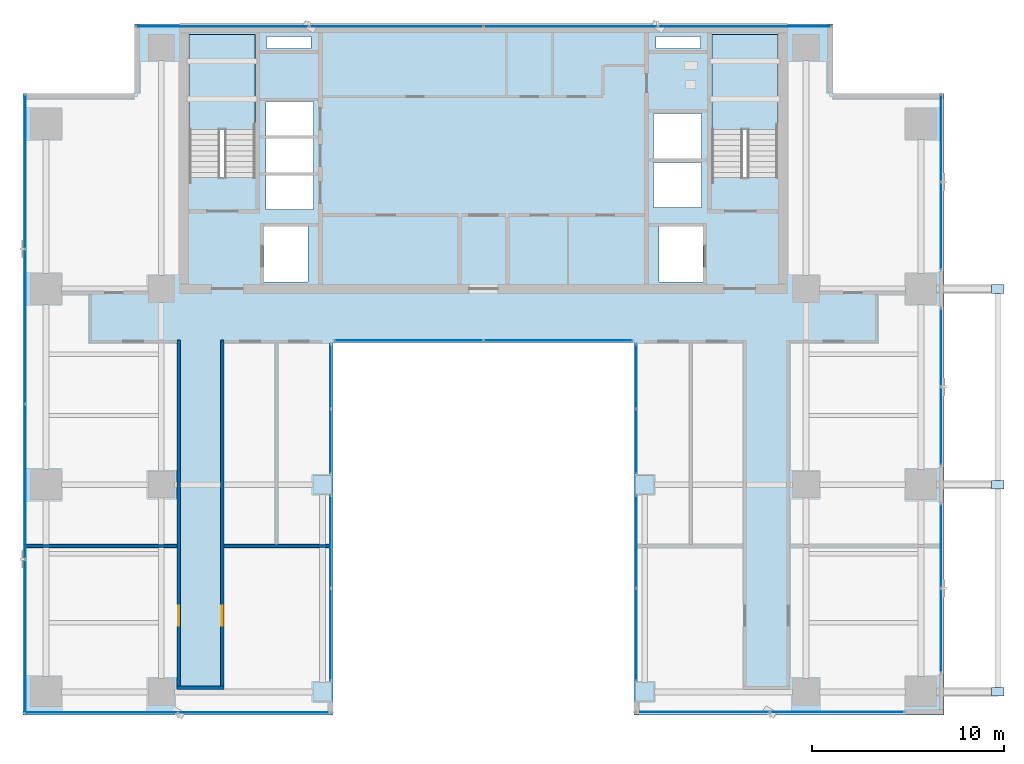
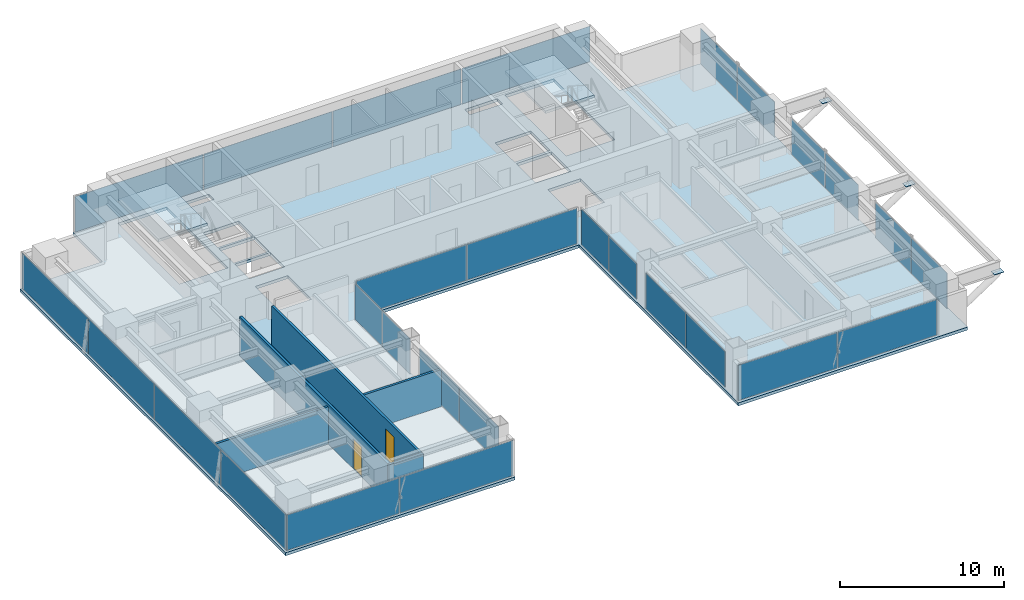
# One storey, part 24 of 31: 31 plates, 5 walls, 3 slabs, 2 doors, 2 openings, 14 elements without a shape of their own.
"""IFC4 building model written with IfcOpenShell, lengths in metres."""

from ifc_helpers import new_model, si_unit, direction, frame, frame_2d, origin, origin_2d, place, context, subcontext, project, spatial, polyline, rectangle, outline, extrude, source, transform, mapped, material, layer, layer_set, type_object, element, fill, aggregate, save


model = new_model("IFC4")

# Units and contexts
model_context = context("Model", 3, precision=1e-05, world=origin(), true_north=direction((0.0, 1.0)))
body_context = subcontext(model_context, "Body", "Model", "MODEL_VIEW")
ifc_project = project(units=[si_unit("LENGTHUNIT", "METRE"), si_unit("AREAUNIT", "SQUARE_METRE"), si_unit("VOLUMEUNIT", "CUBIC_METRE"), si_unit("PLANEANGLEUNIT", "RADIAN"), si_unit("MASSUNIT", "GRAM", prefix="KILO")], contexts=[model_context])

# Site, building, storey
site_placement = place(None, origin())
site = spatial("IfcSite", under=ifc_project, at=site_placement, CompositionType="ELEMENT")
building_placement = place(site_placement, origin())
building = spatial("IfcBuilding", under=site, at=building_placement, Name="Sumidabori Civic Tower", CompositionType="ELEMENT")
storey_placement = place(building_placement, frame((0.0, 0.0, 221.60009765625)))
storey = spatial("IfcBuildingStorey", under=building, at=storey_placement, Name="L57", CompositionType="ELEMENT", Elevation=221.60009765625)

# Stair, slab
ifc_material_1 = material(Name="Concrete C40/50", Category="concrete")
stair_type = type_object("IfcStairType", Name="ST-CORE-1600", PredefinedType="HALF_TURN_STAIR", material=ifc_material_1)
stair_1_placement = place(storey_placement, origin())
stair_1 = element("IfcStair", 1, at=stair_1_placement, inside=storey, type_object=stair_type, Name="L57 ST-1", PredefinedType="HALF_TURN_STAIR")
ifc_layer_1 = layer(ifc_material_1, 0.199951171875, Name="Concrete C40/50")
ifc_layer_set_1 = layer_set([ifc_layer_1], Name="Concrete C40/50")
slab_type_1 = type_object("IfcSlabType", Name="SL-LAND-200", PredefinedType="LANDING", material=ifc_layer_set_1)
slab_1_placement = place(storey_placement, frame((0.0, 0.0, 1.599853515625)))
slab_1 = element("IfcSlab", 2, at=slab_1_placement, type_object=slab_type_1, Name="ST-1 landing 1", PredefinedType="LANDING", context=body_context, shape_type="SweptSolid", body=[
    extrude(outline(polyline([(-11.89990234375, 18.52001953125), (-11.89990234375, 23.449951171875), (-15.340087890625, 23.449951171875), (-15.340087890625, 18.52001953125), (-11.89990234375, 18.52001953125)])), origin(), (0.0, 0.0, 1.0), 0.199951171875),
])
aggregate(stair_1, [slab_1])

stair_2_placement = place(storey_placement, origin())
stair_2 = element("IfcStair", 3, at=stair_2_placement, inside=storey, type_object=stair_type, Name="L57 ST-2", PredefinedType="HALF_TURN_STAIR")
slab_2_placement = place(storey_placement, frame((0.0, 0.0, 1.599853515625)))
slab_2 = element("IfcSlab", 4, at=slab_2_placement, type_object=slab_type_1, Name="ST-2 landing 1", PredefinedType="LANDING", context=body_context, shape_type="SweptSolid", body=[
    extrude(outline(polyline([(15.340087890625, 18.52001953125), (15.340087890625, 23.449951171875), (11.89990234375, 23.449951171875), (11.89990234375, 18.52001953125), (15.340087890625, 18.52001953125)])), origin(), (0.0, 0.0, 1.0), 0.199951171875),
])
aggregate(stair_2, [slab_2])

# Slab
ifc_layer_2 = layer(ifc_material_1, 0.219970703125, Name="Concrete C40/50")
ifc_layer_set_2 = layer_set([ifc_layer_2], Name="Concrete C40/50")
slab_type_2 = type_object("IfcSlabType", Name="SL-Z3-220", PredefinedType="FLOOR", material=ifc_layer_set_2)
slab_3_placement = place(storey_placement, frame((0.0, 0.0, -0.22021484375)))
element("IfcSlab", 5, at=slab_3_placement, inside=storey, type_object=slab_type_2, Name="Structural Slab L57", PredefinedType="FLOOR", context=body_context, shape_type="SweptSolid", body=[
    extrude(outline(polyline([(-24.0, -12.0), (-7.85009765625, -12.0), (-7.85009765625, 7.39990234375), (7.85009765625, 7.39990234375), (7.85009765625, -12.0), (24.0, -12.0), (24.0, 20.39990234375), (18.199951171875, 20.39990234375), (18.199951171875, 24.0), (-18.199951171875, 24.0), (-18.199951171875, 20.39990234375), (-24.0, 20.39990234375), (-24.0, -12.0)]), holes=[polyline([(-11.89990234375, 16.0), (-11.89990234375, 23.449951171875), (-15.340087890625, 23.449951171875), (-15.340087890625, 16.0), (-11.89990234375, 16.0)]), polyline([(15.340087890625, 16.0), (15.340087890625, 23.449951171875), (11.89990234375, 23.449951171875), (11.89990234375, 16.0), (15.340087890625, 16.0)]), polyline([(-11.449951171875, 10.550048828125), (-9.14990234375, 10.550048828125), (-9.14990234375, 13.449951171875), (-11.449951171875, 13.449951171875), (-11.449951171875, 10.550048828125)]), polyline([(9.14990234375, 10.550048828125), (11.449951171875, 10.550048828125), (11.449951171875, 13.449951171875), (9.14990234375, 13.449951171875), (9.14990234375, 10.550048828125)]), polyline([(-11.35009765625, 14.35009765625), (-8.85009765625, 14.35009765625), (-8.85009765625, 16.1201171875), (-11.35009765625, 16.1201171875), (-11.35009765625, 14.35009765625)]), polyline([(-11.35009765625, 16.27001953125), (-8.85009765625, 16.27001953125), (-8.85009765625, 18.0400390625), (-11.35009765625, 18.0400390625), (-11.35009765625, 16.27001953125)]), polyline([(-11.35009765625, 18.18994140625), (-8.85009765625, 18.18994140625), (-8.85009765625, 19.9599609375), (-11.35009765625, 19.9599609375), (-11.35009765625, 18.18994140625)]), polyline([(8.85009765625, 14.449951171875), (11.35009765625, 14.449951171875), (11.35009765625, 16.800048828125), (8.85009765625, 16.800048828125), (8.85009765625, 14.449951171875)]), polyline([(8.85009765625, 17.0), (11.35009765625, 17.0), (11.35009765625, 19.35009765625), (8.85009765625, 19.35009765625), (8.85009765625, 17.0)]), polyline([(-11.300048828125, 22.719970703125), (-9.0, 22.719970703125), (-9.0, 23.35009765625), (-11.300048828125, 23.35009765625), (-11.300048828125, 22.719970703125)]), polyline([(9.0, 22.719970703125), (11.300048828125, 22.719970703125), (11.300048828125, 23.35009765625), (9.0, 23.35009765625), (9.0, 22.719970703125)])]), origin(), (0.0, 0.0, 1.0), 0.22021484375),
])

# Plates
ifc_material_2 = material(Name="Steel SN490", Category="steel")
ifc_layer_3 = layer(ifc_material_2, 0.034912109375, Name="Steel SN490")
ifc_layer_set_3 = layer_set([ifc_layer_3], Name="Steel SN490")
plate_type_1 = type_object("IfcPlateType", Name="PL-NODE-SN", PredefinedType="USERDEFINED", material=ifc_layer_set_3)
shared_shape_1 = source(origin(), body_context, "Body", "SweptSolid", [
    extrude(rectangle(XDim=0.64990234375, YDim=0.449951171875, at=origin_2d()), origin(), (0.0, 0.0, 1.0), 0.034912109375),
])
for number, where, z_axis, x_axis, name in (
    (6, (26.800048828125, -10.800048828125, 2.388671875), (0.0, 0.0, 1.0), (1.0, 0.0, 0.0), "Sky Pool Tip Strut Gusset ND-SN1-1"),
    (7, (26.800048828125, 0.0, 2.388671875), (0.0, 0.0, 1.0), (1.0, 0.0, 0.0), "Sky Pool Tip Strut Gusset ND-SN1-2"),
    (8, (26.800048828125, 10.199951171875, 2.388671875), (0.0, 0.0, 1.0), (1.0, 0.0, 0.0), "Sky Pool Tip Strut Gusset ND-SN1-3"),
):
    element("IfcPlate", number, at=place(storey_placement, frame(where, z_axis=z_axis, x_axis=x_axis)), inside=storey, type_object=plate_type_1, Name=name, ObjectType="GUSSET_PLATE", PredefinedType="USERDEFINED", context=body_context, shape_type="MappedRepresentation", body=[
        mapped(shared_shape_1, transform((0.0, 0.0, 0.0), x_axis=(1.0, 0.0, 0.0), y_axis=(0.0, 1.0, 0.0), z_axis=(0.0, 0.0, 1.0), scale=1.0)),
    ])

# Curtain wall, plates
ifc_material_3 = material(Name="Anodised Bronze Aluminium AW-6063-T6", Category="aluminium")
ifc_layer_4 = layer(ifc_material_3, 0.179931640625, Name="Anodised Bronze Aluminium AW-6063-T6")
ifc_layer_set_4 = layer_set([ifc_layer_4], Name="Anodised Bronze Aluminium AW-6063-T6")
curtain_wall_type_1 = type_object("IfcCurtainWallType", Name="CW-SYS-5", PredefinedType="NOTDEFINED", material=ifc_layer_set_4)
curtain_wall_1_placement = place(storey_placement, origin())
curtain_wall_1 = element("IfcCurtainWall", 9, at=curtain_wall_1_placement, inside=storey, type_object=curtain_wall_type_1, Name="Curtain Wall CW:L57:R01", PredefinedType="NOTDEFINED")
ifc_material_4 = material(Name="Low-E Solar-Control Vision Glazing", Category="glass")
ifc_layer_5 = layer(ifc_material_4, 0.028076171875, Name="Low-E Solar-Control Vision Glazing")
ifc_layer_set_5 = layer_set([ifc_layer_5], Name="Low-E Solar-Control Vision Glazing")
plate_type_2 = type_object("IfcPlateType", Name="CW-PNL-28", PredefinedType="CURTAIN_PANEL", material=ifc_layer_set_5)
shared_shape_2 = source(origin(), body_context, "Body", "SweptSolid", [
    extrude(rectangle(XDim=7.955078125, YDim=0.028076171875, at=origin_2d()), origin(), (0.0, 0.0, 1.0), 2.639892578125),
])
plate_1_placement = place(storey_placement, frame((-19.9326171875, -11.8798828125, 0.06005859375), z_axis=(0.0, 0.0, 1.0), x_axis=(1.0, 0.0, 0.0)))
plate_1 = element("IfcPlate", 10, at=plate_1_placement, type_object=plate_type_2, Name="CW-5 panel 1.1", PredefinedType="CURTAIN_PANEL", context=body_context, shape_type="MappedRepresentation", body=[
    mapped(shared_shape_2, transform((0.0, 0.0, 0.0), x_axis=(1.0, 0.0, 0.0), y_axis=(0.0, 1.0, 0.0), z_axis=(0.0, 0.0, 1.0), scale=1.0)),
])
plate_2_placement = place(storey_placement, frame((-11.91748046875, -11.8798828125, 0.06005859375), z_axis=(0.0, 0.0, 1.0), x_axis=(1.0, 0.0, 0.0)))
plate_2 = element("IfcPlate", 11, at=plate_2_placement, type_object=plate_type_2, Name="CW-5 panel 2.1", PredefinedType="CURTAIN_PANEL", context=body_context, shape_type="MappedRepresentation", body=[
    mapped(shared_shape_2, transform((0.0, 0.0, 0.0), x_axis=(1.0, 0.0, 0.0), y_axis=(0.0, 1.0, 0.0), z_axis=(0.0, 0.0, 1.0), scale=1.0)),
])
aggregate(curtain_wall_1, [plate_1, plate_2])

ifc_layer_6 = layer(ifc_material_3, 0.179931640625, Name="Anodised Bronze Aluminium AW-6063-T6")
ifc_layer_set_6 = layer_set([ifc_layer_6], Name="Anodised Bronze Aluminium AW-6063-T6")
curtain_wall_type_2 = type_object("IfcCurtainWallType", Name="CW-SYS-4", PredefinedType="NOTDEFINED", material=ifc_layer_set_6)
curtain_wall_2_placement = place(storey_placement, origin())
curtain_wall_2 = element("IfcCurtainWall", 12, at=curtain_wall_2_placement, inside=storey, type_object=curtain_wall_type_2, Name="Curtain Wall CW:L57:R03", PredefinedType="NOTDEFINED")
ifc_material_5 = material(Name="Acoustic Laminated Portal Glazing", Category="glass")
ifc_layer_7 = layer(ifc_material_5, 0.030029296875, Name="Acoustic Laminated Portal Glazing")
ifc_layer_set_7 = layer_set([ifc_layer_7], Name="Acoustic Laminated Portal Glazing")
plate_type_3 = type_object("IfcPlateType", Name="CW-PNL-30", PredefinedType="CURTAIN_PANEL", material=ifc_layer_set_7)
shared_shape_3 = source(origin(), body_context, "Body", "SweptSolid", [
    extrude(rectangle(XDim=4.780029296875, YDim=0.030029296875, at=origin_2d()), origin(), (0.0, 0.0, 1.0), 2.639892578125),
])
plate_3_placement = place(storey_placement, frame((-7.969970703125, -7.820068359375, 0.06005859375), z_axis=(0.0, 0.0, 1.0), x_axis=(0.0, 1.0, 0.0)))
plate_3 = element("IfcPlate", 13, at=plate_3_placement, type_object=plate_type_3, Name="CW-4 panel 1.1", PredefinedType="CURTAIN_PANEL", context=body_context, shape_type="MappedRepresentation", body=[
    mapped(shared_shape_3, transform((0.0, 0.0, 0.0), x_axis=(1.0, 0.0, 0.0), y_axis=(0.0, 1.0, 0.0), z_axis=(0.0, 0.0, 1.0), scale=1.0)),
])
plate_4_placement = place(storey_placement, frame((-7.969970703125, -2.97998046875, 0.06005859375), z_axis=(0.0, 0.0, 1.0), x_axis=(0.0, 1.0, 0.0)))
plate_4 = element("IfcPlate", 14, at=plate_4_placement, type_object=plate_type_3, Name="CW-4 panel 2.1", PredefinedType="CURTAIN_PANEL", context=body_context, shape_type="MappedRepresentation", body=[
    mapped(shared_shape_3, transform((0.0, 0.0, 0.0), x_axis=(1.0, 0.0, 0.0), y_axis=(0.0, 1.0, 0.0), z_axis=(0.0, 0.0, 1.0), scale=1.0)),
])
aggregate(curtain_wall_2, [plate_3, plate_4])

curtain_wall_3_placement = place(storey_placement, origin())
curtain_wall_3 = element("IfcCurtainWall", 15, at=curtain_wall_3_placement, inside=storey, type_object=curtain_wall_type_2, Name="Curtain Wall CW:L57:R07", PredefinedType="NOTDEFINED")
plate_5_placement = place(storey_placement, frame((7.969970703125, -2.97998046875, 0.06005859375), z_axis=(0.0, 0.0, 1.0), x_axis=(0.0, -1.0, 0.0)))
plate_5 = element("IfcPlate", 16, at=plate_5_placement, type_object=plate_type_3, Name="CW-4 panel 1.1", PredefinedType="CURTAIN_PANEL", context=body_context, shape_type="MappedRepresentation", body=[
    mapped(shared_shape_3, transform((0.0, 0.0, 0.0), x_axis=(1.0, 0.0, 0.0), y_axis=(0.0, 1.0, 0.0), z_axis=(0.0, 0.0, 1.0), scale=1.0)),
])
plate_6_placement = place(storey_placement, frame((7.969970703125, -7.820068359375, 0.06005859375), z_axis=(0.0, 0.0, 1.0), x_axis=(0.0, -1.0, 0.0)))
plate_6 = element("IfcPlate", 17, at=plate_6_placement, type_object=plate_type_3, Name="CW-4 panel 2.1", PredefinedType="CURTAIN_PANEL", context=body_context, shape_type="MappedRepresentation", body=[
    mapped(shared_shape_3, transform((0.0, 0.0, 0.0), x_axis=(1.0, 0.0, 0.0), y_axis=(0.0, 1.0, 0.0), z_axis=(0.0, 0.0, 1.0), scale=1.0)),
])
aggregate(curtain_wall_3, [plate_5, plate_6])

curtain_wall_4_placement = place(storey_placement, origin())
curtain_wall_4 = element("IfcCurtainWall", 18, at=curtain_wall_4_placement, inside=storey, type_object=curtain_wall_type_2, Name="Curtain Wall CW:L57:R04", PredefinedType="NOTDEFINED")
shared_shape_4 = source(origin(), body_context, "Body", "SweptSolid", [
    extrude(rectangle(XDim=3.330078125, YDim=0.030029296875, at=origin_2d()), origin(), (0.0, 0.0, 1.0), 2.639892578125),
])
plate_7_placement = place(storey_placement, frame((-7.969970703125, 2.2548828125, 0.06005859375), z_axis=(0.0, 0.0, 1.0), x_axis=(0.0, 1.0, 0.0)))
plate_7 = element("IfcPlate", 19, at=plate_7_placement, type_object=plate_type_3, Name="CW-4 panel 1.1", PredefinedType="CURTAIN_PANEL", context=body_context, shape_type="MappedRepresentation", body=[
    mapped(shared_shape_4, transform((0.0, 0.0, 0.0), x_axis=(1.0, 0.0, 0.0), y_axis=(0.0, 1.0, 0.0), z_axis=(0.0, 0.0, 1.0), scale=1.0)),
])
plate_8_placement = place(storey_placement, frame((-7.969970703125, 5.64501953125, 0.06005859375), z_axis=(0.0, 0.0, 1.0), x_axis=(0.0, 1.0, 0.0)))
plate_8 = element("IfcPlate", 20, at=plate_8_placement, type_object=plate_type_3, Name="CW-4 panel 2.1", PredefinedType="CURTAIN_PANEL", context=body_context, shape_type="MappedRepresentation", body=[
    mapped(shared_shape_4, transform((0.0, 0.0, 0.0), x_axis=(1.0, 0.0, 0.0), y_axis=(0.0, 1.0, 0.0), z_axis=(0.0, 0.0, 1.0), scale=1.0)),
])
aggregate(curtain_wall_4, [plate_7, plate_8])

curtain_wall_5_placement = place(storey_placement, origin())
curtain_wall_5 = element("IfcCurtainWall", 21, at=curtain_wall_5_placement, inside=storey, type_object=curtain_wall_type_2, Name="Curtain Wall CW:L57:R06", PredefinedType="NOTDEFINED")
plate_9_placement = place(storey_placement, frame((7.969970703125, 5.64501953125, 0.06005859375), z_axis=(0.0, 0.0, 1.0), x_axis=(0.0, -1.0, 0.0)))
plate_9 = element("IfcPlate", 22, at=plate_9_placement, type_object=plate_type_3, Name="CW-4 panel 1.1", PredefinedType="CURTAIN_PANEL", context=body_context, shape_type="MappedRepresentation", body=[
    mapped(shared_shape_4, transform((0.0, 0.0, 0.0), x_axis=(1.0, 0.0, 0.0), y_axis=(0.0, 1.0, 0.0), z_axis=(0.0, 0.0, 1.0), scale=1.0)),
])
plate_10_placement = place(storey_placement, frame((7.969970703125, 2.2548828125, 0.06005859375), z_axis=(0.0, 0.0, 1.0), x_axis=(0.0, -1.0, 0.0)))
plate_10 = element("IfcPlate", 23, at=plate_10_placement, type_object=plate_type_3, Name="CW-4 panel 2.1", PredefinedType="CURTAIN_PANEL", context=body_context, shape_type="MappedRepresentation", body=[
    mapped(shared_shape_4, transform((0.0, 0.0, 0.0), x_axis=(1.0, 0.0, 0.0), y_axis=(0.0, 1.0, 0.0), z_axis=(0.0, 0.0, 1.0), scale=1.0)),
])
aggregate(curtain_wall_5, [plate_9, plate_10])

curtain_wall_6_placement = place(storey_placement, origin())
curtain_wall_6 = element("IfcCurtainWall", 24, at=curtain_wall_6_placement, inside=storey, type_object=curtain_wall_type_2, Name="Curtain Wall CW:L57:R05", PredefinedType="NOTDEFINED")
shared_shape_5 = source(origin(), body_context, "Body", "SweptSolid", [
    extrude(rectangle(XDim=7.72998046875, YDim=0.030029296875, at=origin_2d()), origin(), (0.0, 0.0, 1.0), 2.639892578125),
])
plate_11_placement = place(storey_placement, frame((-3.89501953125, 7.52001953125, 0.06005859375), z_axis=(0.0, 0.0, 1.0), x_axis=(1.0, 0.0, 0.0)))
plate_11 = element("IfcPlate", 25, at=plate_11_placement, type_object=plate_type_3, Name="CW-4 panel 1.1", PredefinedType="CURTAIN_PANEL", context=body_context, shape_type="MappedRepresentation", body=[
    mapped(shared_shape_5, transform((0.0, 0.0, 0.0), x_axis=(1.0, 0.0, 0.0), y_axis=(0.0, 1.0, 0.0), z_axis=(0.0, 0.0, 1.0), scale=1.0)),
])
plate_12_placement = place(storey_placement, frame((3.89501953125, 7.52001953125, 0.06005859375), z_axis=(0.0, 0.0, 1.0), x_axis=(1.0, 0.0, 0.0)))
plate_12 = element("IfcPlate", 26, at=plate_12_placement, type_object=plate_type_3, Name="CW-4 panel 2.1", PredefinedType="CURTAIN_PANEL", context=body_context, shape_type="MappedRepresentation", body=[
    mapped(shared_shape_5, transform((0.0, 0.0, 0.0), x_axis=(1.0, 0.0, 0.0), y_axis=(0.0, 1.0, 0.0), z_axis=(0.0, 0.0, 1.0), scale=1.0)),
])
aggregate(curtain_wall_6, [plate_11, plate_12])

curtain_wall_7_placement = place(storey_placement, origin())
curtain_wall_7 = element("IfcCurtainWall", 27, at=curtain_wall_7_placement, inside=storey, type_object=curtain_wall_type_1, Name="Curtain Wall CW:L57:R22", PredefinedType="NOTDEFINED")
shared_shape_6 = source(origin(), body_context, "Body", "SweptSolid", [
    extrude(rectangle(XDim=7.9951171875, YDim=0.028076171875, at=origin_2d()), origin(), (0.0, 0.0, 1.0), 2.639892578125),
])
plate_13_placement = place(storey_placement, frame((-23.8798828125, 16.3125, 0.06005859375), z_axis=(0.0, 0.0, 1.0), x_axis=(0.0, -1.0, 0.0)))
plate_13 = element("IfcPlate", 28, at=plate_13_placement, type_object=plate_type_2, Name="CW-5 panel 1.1", PredefinedType="CURTAIN_PANEL", context=body_context, shape_type="MappedRepresentation", body=[
    mapped(shared_shape_6, transform((0.0, 0.0, 0.0), x_axis=(1.0, 0.0, 0.0), y_axis=(0.0, 1.0, 0.0), z_axis=(0.0, 0.0, 1.0), scale=1.0)),
])
plate_14_placement = place(storey_placement, frame((-23.8798828125, -7.91259765625, 0.06005859375), z_axis=(0.0, 0.0, 1.0), x_axis=(0.0, -1.0, 0.0)))
plate_14 = element("IfcPlate", 29, at=plate_14_placement, type_object=plate_type_2, Name="CW-5 panel 4.1", PredefinedType="CURTAIN_PANEL", context=body_context, shape_type="MappedRepresentation", body=[
    mapped(shared_shape_6, transform((0.0, 0.0, 0.0), x_axis=(1.0, 0.0, 0.0), y_axis=(0.0, 1.0, 0.0), z_axis=(0.0, 0.0, 1.0), scale=1.0)),
])
shared_shape_7 = source(origin(), body_context, "Body", "SweptSolid", [
    extrude(rectangle(XDim=8.02490234375, YDim=0.028076171875, at=origin_2d()), origin(), (0.0, 0.0, 1.0), 2.639892578125),
])
plate_15_placement = place(storey_placement, frame((-23.8798828125, 8.242431640625, 0.06005859375), z_axis=(0.0, 0.0, 1.0), x_axis=(0.0, -1.0, 0.0)))
plate_15 = element("IfcPlate", 30, at=plate_15_placement, type_object=plate_type_2, Name="CW-5 panel 2.1", PredefinedType="CURTAIN_PANEL", context=body_context, shape_type="MappedRepresentation", body=[
    mapped(shared_shape_7, transform((0.0, 0.0, 0.0), x_axis=(1.0, 0.0, 0.0), y_axis=(0.0, 1.0, 0.0), z_axis=(0.0, 0.0, 1.0), scale=1.0)),
])
plate_16_placement = place(storey_placement, frame((-23.8798828125, 0.157470703125, 0.06005859375), z_axis=(0.0, 0.0, 1.0), x_axis=(0.0, -1.0, 0.0)))
plate_16 = element("IfcPlate", 31, at=plate_16_placement, type_object=plate_type_2, Name="CW-5 panel 3.1", PredefinedType="CURTAIN_PANEL", context=body_context, shape_type="MappedRepresentation", body=[
    mapped(shared_shape_7, transform((0.0, 0.0, 0.0), x_axis=(1.0, 0.0, 0.0), y_axis=(0.0, 1.0, 0.0), z_axis=(0.0, 0.0, 1.0), scale=1.0)),
])
aggregate(curtain_wall_7, [plate_13, plate_15, plate_16, plate_14])

curtain_wall_8_placement = place(storey_placement, origin())
curtain_wall_8 = element("IfcCurtainWall", 32, at=curtain_wall_8_placement, inside=storey, type_object=curtain_wall_type_1, Name="Curtain Wall CW:L57:R19", PredefinedType="NOTDEFINED")
shared_shape_8 = source(origin(), body_context, "Body", "SweptSolid", [
    extrude(rectangle(XDim=8.9951171875, YDim=0.028076171875, at=origin_2d()), origin(), (0.0, 0.0, 1.0), 2.639892578125),
])
plate_17_placement = place(storey_placement, frame((13.612548828125, 23.8798828125, 0.06005859375), z_axis=(0.0, 0.0, 1.0), x_axis=(-1.0, 0.0, 0.0)))
plate_17 = element("IfcPlate", 33, at=plate_17_placement, type_object=plate_type_2, Name="CW-5 panel 1.1", PredefinedType="CURTAIN_PANEL", context=body_context, shape_type="MappedRepresentation", body=[
    mapped(shared_shape_8, transform((0.0, 0.0, 0.0), x_axis=(1.0, 0.0, 0.0), y_axis=(0.0, 1.0, 0.0), z_axis=(0.0, 0.0, 1.0), scale=1.0)),
])
plate_18_placement = place(storey_placement, frame((-13.612548828125, 23.8798828125, 0.06005859375), z_axis=(0.0, 0.0, 1.0), x_axis=(-1.0, 0.0, 0.0)))
plate_18 = element("IfcPlate", 34, at=plate_18_placement, type_object=plate_type_2, Name="CW-5 panel 4.1", PredefinedType="CURTAIN_PANEL", context=body_context, shape_type="MappedRepresentation", body=[
    mapped(shared_shape_8, transform((0.0, 0.0, 0.0), x_axis=(1.0, 0.0, 0.0), y_axis=(0.0, 1.0, 0.0), z_axis=(0.0, 0.0, 1.0), scale=1.0)),
])
shared_shape_9 = source(origin(), body_context, "Body", "SweptSolid", [
    extrude(rectangle(XDim=9.02490234375, YDim=0.028076171875, at=origin_2d()), origin(), (0.0, 0.0, 1.0), 2.639892578125),
])
plate_19_placement = place(storey_placement, frame((4.54248046875, 23.8798828125, 0.06005859375), z_axis=(0.0, 0.0, 1.0), x_axis=(-1.0, 0.0, 0.0)))
plate_19 = element("IfcPlate", 35, at=plate_19_placement, type_object=plate_type_2, Name="CW-5 panel 2.1", PredefinedType="CURTAIN_PANEL", context=body_context, shape_type="MappedRepresentation", body=[
    mapped(shared_shape_9, transform((0.0, 0.0, 0.0), x_axis=(1.0, 0.0, 0.0), y_axis=(0.0, 1.0, 0.0), z_axis=(0.0, 0.0, 1.0), scale=1.0)),
])
plate_20_placement = place(storey_placement, frame((-4.54248046875, 23.8798828125, 0.06005859375), z_axis=(0.0, 0.0, 1.0), x_axis=(-1.0, 0.0, 0.0)))
plate_20 = element("IfcPlate", 36, at=plate_20_placement, type_object=plate_type_2, Name="CW-5 panel 3.1", PredefinedType="CURTAIN_PANEL", context=body_context, shape_type="MappedRepresentation", body=[
    mapped(shared_shape_9, transform((0.0, 0.0, 0.0), x_axis=(1.0, 0.0, 0.0), y_axis=(0.0, 1.0, 0.0), z_axis=(0.0, 0.0, 1.0), scale=1.0)),
])
aggregate(curtain_wall_8, [plate_17, plate_19, plate_20, plate_18])

curtain_wall_9_placement = place(storey_placement, origin())
curtain_wall_9 = element("IfcCurtainWall", 37, at=curtain_wall_9_placement, inside=storey, type_object=curtain_wall_type_1, Name="Curtain Wall CW:L57:R10", PredefinedType="NOTDEFINED")
shared_shape_10 = source(origin(), body_context, "Body", "SweptSolid", [
    extrude(rectangle(XDim=6.955078125, YDim=0.028076171875, at=origin_2d()), origin(), (0.0, 0.0, 1.0), 2.639892578125),
])
plate_21_placement = place(storey_placement, frame((11.41748046875, -11.85009765625, 0.06005859375), z_axis=(0.0, 0.0, 1.0), x_axis=(1.0, 0.0, 0.0)))
plate_21 = element("IfcPlate", 38, at=plate_21_placement, type_object=plate_type_2, Name="CW-5 panel 1.1", PredefinedType="CURTAIN_PANEL", context=body_context, shape_type="MappedRepresentation", body=[
    mapped(shared_shape_10, transform((0.0, 0.0, 0.0), x_axis=(1.0, 0.0, 0.0), y_axis=(0.0, 1.0, 0.0), z_axis=(0.0, 0.0, 1.0), scale=1.0)),
])
plate_22_placement = place(storey_placement, frame((18.4326171875, -11.85009765625, 0.06005859375), z_axis=(0.0, 0.0, 1.0), x_axis=(1.0, 0.0, 0.0)))
plate_22 = element("IfcPlate", 39, at=plate_22_placement, type_object=plate_type_2, Name="CW-5 panel 2.1", PredefinedType="CURTAIN_PANEL", context=body_context, shape_type="MappedRepresentation", body=[
    mapped(shared_shape_10, transform((0.0, 0.0, 0.0), x_axis=(1.0, 0.0, 0.0), y_axis=(0.0, 1.0, 0.0), z_axis=(0.0, 0.0, 1.0), scale=1.0)),
])
aggregate(curtain_wall_9, [plate_21, plate_22])

curtain_wall_10_placement = place(storey_placement, origin())
curtain_wall_10 = element("IfcCurtainWall", 40, at=curtain_wall_10_placement, inside=storey, type_object=curtain_wall_type_1, Name="Curtain Wall CW:L57:R14", PredefinedType="NOTDEFINED")
shared_shape_11 = source(origin(), body_context, "Body", "SweptSolid", [
    extrude(rectangle(XDim=4.330078125, YDim=0.028076171875, at=origin_2d()), origin(), (0.0, 0.0, 1.0), 2.639892578125),
])
plate_23_placement = place(storey_placement, frame((23.85009765625, -7.594970703125, 0.06005859375), z_axis=(0.0, 0.0, 1.0), x_axis=(0.0, 1.0, 0.0)))
plate_23 = element("IfcPlate", 41, at=plate_23_placement, type_object=plate_type_2, Name="CW-5 panel 1.1", PredefinedType="CURTAIN_PANEL", context=body_context, shape_type="MappedRepresentation", body=[
    mapped(shared_shape_11, transform((0.0, 0.0, 0.0), x_axis=(1.0, 0.0, 0.0), y_axis=(0.0, 1.0, 0.0), z_axis=(0.0, 0.0, 1.0), scale=1.0)),
])
plate_24_placement = place(storey_placement, frame((23.85009765625, -3.205078125, 0.06005859375), z_axis=(0.0, 0.0, 1.0), x_axis=(0.0, 1.0, 0.0)))
plate_24 = element("IfcPlate", 42, at=plate_24_placement, type_object=plate_type_2, Name="CW-5 panel 2.1", PredefinedType="CURTAIN_PANEL", context=body_context, shape_type="MappedRepresentation", body=[
    mapped(shared_shape_11, transform((0.0, 0.0, 0.0), x_axis=(1.0, 0.0, 0.0), y_axis=(0.0, 1.0, 0.0), z_axis=(0.0, 0.0, 1.0), scale=1.0)),
])
aggregate(curtain_wall_10, [plate_23, plate_24])

curtain_wall_11_placement = place(storey_placement, origin())
curtain_wall_11 = element("IfcCurtainWall", 43, at=curtain_wall_11_placement, inside=storey, type_object=curtain_wall_type_1, Name="Curtain Wall CW:L57:R15", PredefinedType="NOTDEFINED")
shared_shape_12 = source(origin(), body_context, "Body", "SweptSolid", [
    extrude(rectangle(XDim=4.030029296875, YDim=0.028076171875, at=origin_2d()), origin(), (0.0, 0.0, 1.0), 2.639892578125),
])
plate_25_placement = place(storey_placement, frame((23.85009765625, 3.054931640625, 0.06005859375), z_axis=(0.0, 0.0, 1.0), x_axis=(0.0, 1.0, 0.0)))
plate_25 = element("IfcPlate", 44, at=plate_25_placement, type_object=plate_type_2, Name="CW-5 panel 1.1", PredefinedType="CURTAIN_PANEL", context=body_context, shape_type="MappedRepresentation", body=[
    mapped(shared_shape_12, transform((0.0, 0.0, 0.0), x_axis=(1.0, 0.0, 0.0), y_axis=(0.0, 1.0, 0.0), z_axis=(0.0, 0.0, 1.0), scale=1.0)),
])
plate_26_placement = place(storey_placement, frame((23.85009765625, 7.14501953125, 0.06005859375), z_axis=(0.0, 0.0, 1.0), x_axis=(0.0, 1.0, 0.0)))
plate_26 = element("IfcPlate", 45, at=plate_26_placement, type_object=plate_type_2, Name="CW-5 panel 2.1", PredefinedType="CURTAIN_PANEL", context=body_context, shape_type="MappedRepresentation", body=[
    mapped(shared_shape_12, transform((0.0, 0.0, 0.0), x_axis=(1.0, 0.0, 0.0), y_axis=(0.0, 1.0, 0.0), z_axis=(0.0, 0.0, 1.0), scale=1.0)),
])
aggregate(curtain_wall_11, [plate_25, plate_26])

curtain_wall_12_placement = place(storey_placement, origin())
curtain_wall_12 = element("IfcCurtainWall", 46, at=curtain_wall_12_placement, inside=storey, type_object=curtain_wall_type_1, Name="Curtain Wall CW:L57:R16", PredefinedType="NOTDEFINED")
shared_shape_13 = source(origin(), body_context, "Body", "SweptSolid", [
    extrude(rectangle(XDim=4.5048828125, YDim=0.028076171875, at=origin_2d()), origin(), (0.0, 0.0, 1.0), 2.639892578125),
])
plate_27_placement = place(storey_placement, frame((23.85009765625, 13.492431640625, 0.06005859375), z_axis=(0.0, 0.0, 1.0), x_axis=(0.0, 1.0, 0.0)))
plate_27 = element("IfcPlate", 47, at=plate_27_placement, type_object=plate_type_2, Name="CW-5 panel 1.1", PredefinedType="CURTAIN_PANEL", context=body_context, shape_type="MappedRepresentation", body=[
    mapped(shared_shape_13, transform((0.0, 0.0, 0.0), x_axis=(1.0, 0.0, 0.0), y_axis=(0.0, 1.0, 0.0), z_axis=(0.0, 0.0, 1.0), scale=1.0)),
])
plate_28_placement = place(storey_placement, frame((23.85009765625, 18.0576171875, 0.06005859375), z_axis=(0.0, 0.0, 1.0), x_axis=(0.0, 1.0, 0.0)))
plate_28 = element("IfcPlate", 48, at=plate_28_placement, type_object=plate_type_2, Name="CW-5 panel 2.1", PredefinedType="CURTAIN_PANEL", context=body_context, shape_type="MappedRepresentation", body=[
    mapped(shared_shape_13, transform((0.0, 0.0, 0.0), x_axis=(1.0, 0.0, 0.0), y_axis=(0.0, 1.0, 0.0), z_axis=(0.0, 0.0, 1.0), scale=1.0)),
])
aggregate(curtain_wall_12, [plate_27, plate_28])

# Walls
ifc_material_6 = material(Name="Gypsum Plasterboard Acoustic Partition")
ifc_layer_8 = layer(ifc_material_6, 0.1650390625, Name="Gypsum Plasterboard Acoustic Partition")
ifc_layer_set_8 = layer_set([ifc_layer_8], Name="Gypsum Plasterboard Acoustic Partition")
wall_type = type_object("IfcWallType", Name="WL-PART-165", PredefinedType="PARTITIONING", material=ifc_layer_set_8)
shared_shape_14 = source(origin(), body_context, "Body", "SweptSolid", [
    extrude(rectangle(XDim=7.880126953125, YDim=0.1650390625, at=frame_2d((3.93994140625, 0.0))), origin(), (0.0, 0.0, 1.0), 2.764892578125),
])
wall_1_placement = place(storey_placement, frame((-23.85009765625, -3.199951171875, 0.0), z_axis=(0.0, 0.0, 1.0), x_axis=(1.0, 0.0, 0.0)))
element("IfcWall", 49, at=wall_1_placement, inside=storey, type_object=wall_type, Name="Interior Partition WL:L57:BAND-YW-1", PredefinedType="PARTITIONING", context=body_context, shape_type="MappedRepresentation", body=[
    mapped(shared_shape_14, transform((0.0, 0.0, 0.0), x_axis=(1.0, 0.0, 0.0), y_axis=(0.0, 1.0, 0.0), z_axis=(0.0, 0.0, 1.0), scale=1.0)),
])
shared_shape_15 = source(origin(), body_context, "Body", "SweptSolid", [
    extrude(rectangle(XDim=5.530029296875, YDim=0.1650390625, at=frame_2d((2.76513671875, 0.0))), origin(), (0.0, 0.0, 1.0), 2.764892578125),
])
wall_2_placement = place(storey_placement, frame((-13.530029296875, -3.199951171875, 0.0), z_axis=(0.0, 0.0, 1.0), x_axis=(1.0, 0.0, 0.0)))
element("IfcWall", 50, at=wall_2_placement, inside=storey, type_object=wall_type, Name="Interior Partition WL:L57:BAND-YW-2", PredefinedType="PARTITIONING", context=body_context, shape_type="MappedRepresentation", body=[
    mapped(shared_shape_15, transform((0.0, 0.0, 0.0), x_axis=(1.0, 0.0, 0.0), y_axis=(0.0, 1.0, 0.0), z_axis=(0.0, 0.0, 1.0), scale=1.0)),
])
shared_shape_16 = source(origin(), body_context, "Body", "SweptSolid", [
    extrude(rectangle(XDim=2.43017578125, YDim=0.1650390625, at=frame_2d((1.215087890625, 0.0))), origin(), (0.0, 0.0, 1.0), 2.914794921875),
])
wall_3_placement = place(storey_placement, frame((-15.965087890625, -10.58251953125, 0.0), z_axis=(0.0, 0.0, 1.0), x_axis=(1.0, 0.0, 0.0)))
element("IfcWall", 51, at=wall_3_placement, inside=storey, type_object=wall_type, Name="Interior Partition WL:L57:CORR-CAP-W", PredefinedType="PARTITIONING", context=body_context, shape_type="MappedRepresentation", body=[
    mapped(shared_shape_16, transform((0.0, 0.0, 0.0), x_axis=(1.0, 0.0, 0.0), y_axis=(0.0, 1.0, 0.0), z_axis=(0.0, 0.0, 1.0), scale=1.0)),
])

# Wall, opening, door
shared_shape_17 = source(origin(), body_context, "Body", "SweptSolid", [
    extrude(rectangle(XDim=18.045166015625, YDim=0.1650390625, at=frame_2d((9.0224609375, 0.0))), origin(), (0.0, 0.0, 1.0), 2.914794921875),
])
wall_4_placement = place(storey_placement, frame((-15.882568359375, -10.4951171875, 0.0), z_axis=(0.0, 0.0, 1.0), x_axis=(0.0, 1.0, 0.0)))
wall_4 = element("IfcWall", 52, at=wall_4_placement, inside=storey, type_object=wall_type, Name="Interior Partition WL:L57:CORR-VPW-O", PredefinedType="PARTITIONING", context=body_context, shape_type="MappedRepresentation", body=[
    mapped(shared_shape_17, transform((0.0, 0.0, 0.0), x_axis=(1.0, 0.0, 0.0), y_axis=(0.0, 1.0, 0.0), z_axis=(0.0, 0.0, 1.0), scale=1.0)),
])
opening_1_placement = place(wall_4_placement, frame((3.146240234375, 0.0, 0.0)))
opening_1 = element("IfcOpeningElement", 53, at=opening_1_placement, cuts=wall_4, Name="Opening DR-4", PredefinedType="OPENING", context=body_context, shape_type="SweptSolid", body=[
    extrude(rectangle(XDim=1.0400390625, YDim=2.199951171875, at=frame_2d((0.52001953125, 1.10009765625))), frame((0.0, 0.094482421875, 0.0), z_axis=(0.0, -1.0, 0.0), x_axis=(1.0, 0.0, 0.0)), (0.0, 0.0, 1.0), 0.18896484375),
])
ifc_material_7 = material(Name="Japanese Hinoki Timber", Category="wood")
door_type = type_object("IfcDoorType", Name="DR-INT-1040", OperationType="NOTDEFINED", PredefinedType="DOOR", material=ifc_material_7)
shared_shape_18 = source(origin(), body_context, "Body", "SweptSolid", [
    extrude(rectangle(XDim=1.0400390625, YDim=2.199951171875, at=frame_2d((0.52001953125, 1.10009765625))), frame((0.0, 0.02490234375, 0.0), z_axis=(0.0, -1.0, 0.0), x_axis=(1.0, 0.0, 0.0)), (0.0, 0.0, 1.0), 0.050048828125),
])
door_1_placement = place(opening_1_placement, origin())
door_1 = element("IfcDoor", 54, at=door_1_placement, inside=storey, type_object=door_type, Name="Door DR:L57:D09", OperationType="SINGLE_SWING_LEFT", OverallHeight=2.199951171875, OverallWidth=1.0400390625, PredefinedType="DOOR", context=body_context, shape_type="MappedRepresentation", body=[
    mapped(shared_shape_18, transform((0.0, 0.0, 0.0), x_axis=(1.0, 0.0, 0.0), y_axis=(0.0, 1.0, 0.0), z_axis=(0.0, 0.0, 1.0), scale=1.0)),
])
fill(opening_1, door_1)

wall_5_placement = place(storey_placement, frame((-13.617431640625, -10.4951171875, 0.0), z_axis=(0.0, 0.0, 1.0), x_axis=(0.0, 1.0, 0.0)))
wall_5 = element("IfcWall", 55, at=wall_5_placement, inside=storey, type_object=wall_type, Name="Interior Partition WL:L57:CORR-VPW-I", PredefinedType="PARTITIONING", context=body_context, shape_type="MappedRepresentation", body=[
    mapped(shared_shape_17, transform((0.0, 0.0, 0.0), x_axis=(1.0, 0.0, 0.0), y_axis=(0.0, 1.0, 0.0), z_axis=(0.0, 0.0, 1.0), scale=1.0)),
])
opening_2_placement = place(wall_5_placement, frame((3.146240234375, 0.0, 0.0)))
opening_2 = element("IfcOpeningElement", 56, at=opening_2_placement, cuts=wall_5, Name="Opening DR-4", PredefinedType="OPENING", context=body_context, shape_type="SweptSolid", body=[
    extrude(rectangle(XDim=1.0400390625, YDim=2.199951171875, at=frame_2d((0.52001953125, 1.10009765625))), frame((0.0, 0.094482421875, 0.0), z_axis=(0.0, -1.0, 0.0), x_axis=(1.0, 0.0, 0.0)), (0.0, 0.0, 1.0), 0.18896484375),
])
door_2_placement = place(opening_2_placement, origin())
door_2 = element("IfcDoor", 57, at=door_2_placement, inside=storey, type_object=door_type, Name="Door DR:L57:D11", OperationType="SINGLE_SWING_LEFT", OverallHeight=2.199951171875, OverallWidth=1.0400390625, PredefinedType="DOOR", context=body_context, shape_type="MappedRepresentation", body=[
    mapped(shared_shape_18, transform((0.0, 0.0, 0.0), x_axis=(1.0, 0.0, 0.0), y_axis=(0.0, 1.0, 0.0), z_axis=(0.0, 0.0, 1.0), scale=1.0)),
])
fill(opening_2, door_2)

save(model, "model.ifc")
